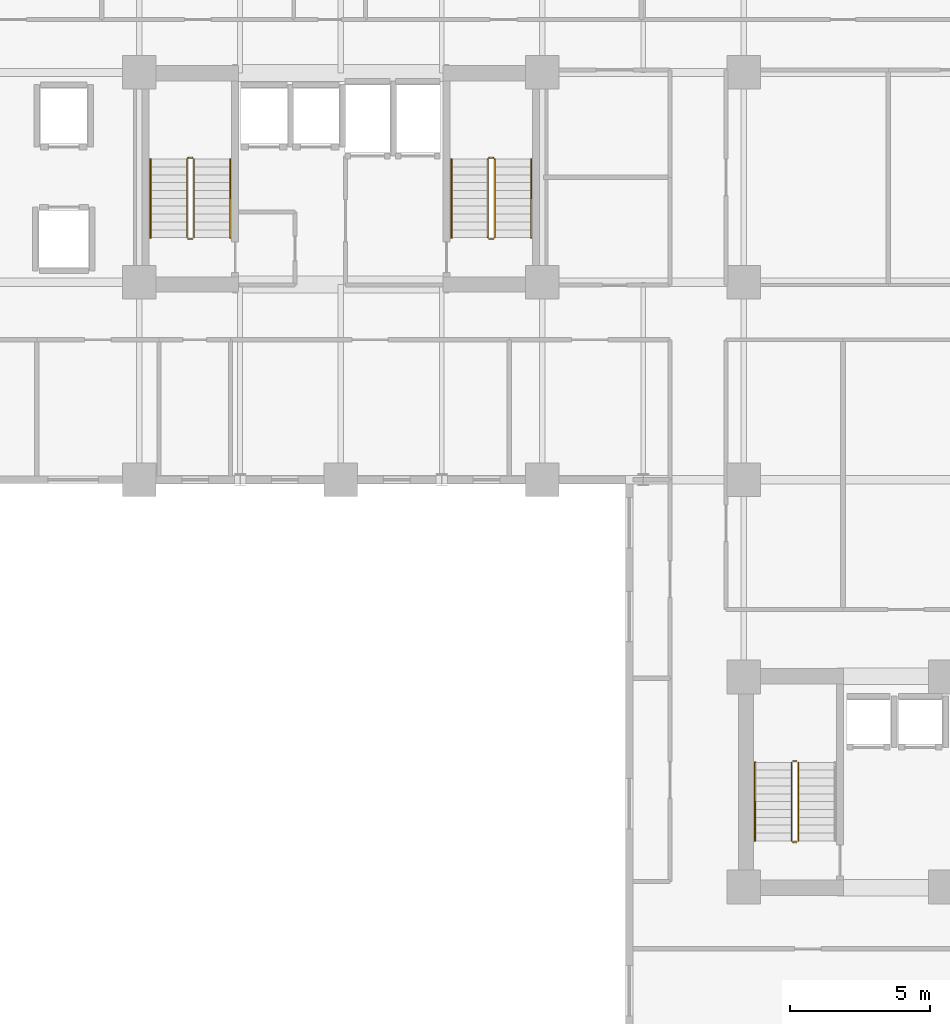
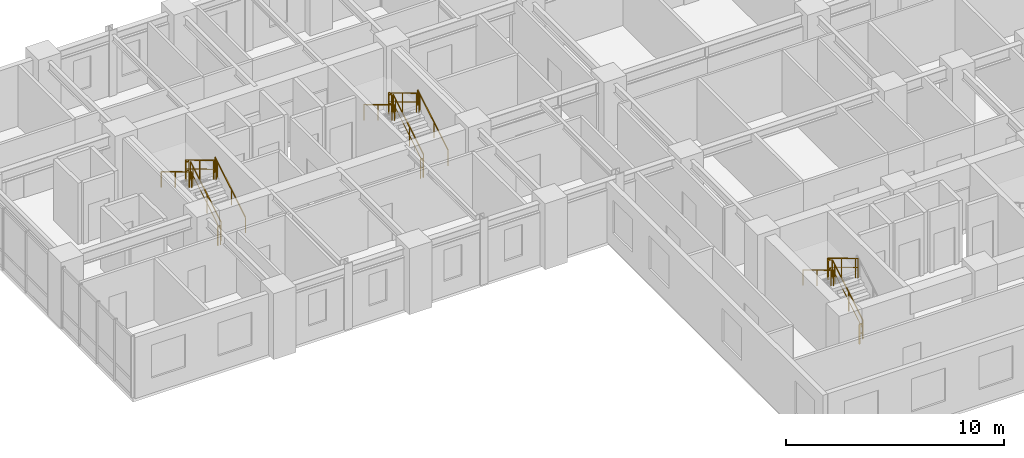
# One storey, part 16 of 18: 17 railings.
"""IFC4 building model written with IfcOpenShell, lengths in metres."""

from ifc_helpers import new_model, si_unit, direction, frame, origin, origin_2d, place, context, subcontext, project, spatial, rectangle, extrude, material, type_object, element, save


model = new_model("IFC4")

# Units and contexts
model_context = context("Model", 3, precision=1e-05, world=origin(), true_north=direction((0.0, 1.0)))
body_context = subcontext(model_context, "Body", "Model", "MODEL_VIEW")
ifc_project = project(units=[si_unit("LENGTHUNIT", "METRE"), si_unit("AREAUNIT", "SQUARE_METRE"), si_unit("VOLUMEUNIT", "CUBIC_METRE"), si_unit("PLANEANGLEUNIT", "RADIAN"), si_unit("MASSUNIT", "GRAM", prefix="KILO")], contexts=[model_context])

# Site, building, storey
site_placement = place(None, origin())
site = spatial("IfcSite", under=ifc_project, at=site_placement, CompositionType="ELEMENT")
building_placement = place(site_placement, origin())
building = spatial("IfcBuilding", under=site, at=building_placement, Name="Kaliganga Portal Commons", CompositionType="ELEMENT")
storey_placement = place(building_placement, frame((0.0, 0.0, 93.39990234375)))
storey = spatial("IfcBuildingStorey", under=building, at=storey_placement, Name="L23", CompositionType="ELEMENT", Elevation=93.39990234375)

# Railings
ifc_material_1 = material(Name="Galvanized Painted Steel Balustrade", Category="steel")
railing_type_1 = type_object("IfcRailingType", Name="RLG-STAIR-GRD", PredefinedType="GUARDRAIL", material=ifc_material_1)
railing_1_placement = place(storey_placement, frame((16.35009765625, 30.25, 0.168212890625)))
element("IfcRailing", 1, at=railing_1_placement, inside=storey, type_object=railing_type_1, Name="L23 ST-A1 stair guard 1", PredefinedType="GUARDRAIL", context=body_context, shape_type="SweptSolid", body=[
    extrude(rectangle(XDim=0.048095703125, YDim=0.048095703125, at=origin_2d()), frame((0.0, 0.0, 1.072021484375), z_axis=(0.0, 0.857242210791, 0.514913383045), x_axis=(-1.0, 0.0, 0.0)), (0.0, 0.0, 1.0), 3.266357421875),
    extrude(rectangle(XDim=0.028076171875, YDim=0.028076171875, at=origin_2d()), frame((0.0, 0.0, 0.572021484375), z_axis=(0.0, 0.857242210791, 0.514913383045), x_axis=(-1.0, 0.0, 0.0)), (0.0, 0.0, 1.0), 3.266357421875),
    extrude(rectangle(XDim=0.0419921875, YDim=0.0419921875, at=origin_2d()), origin(), (0.0, 0.0, 1.0), 1.052001953125),
    extrude(rectangle(XDim=0.0419921875, YDim=0.0419921875, at=origin_2d()), frame((0.0, 1.285888671875, 0.7724609375)), (0.0, 0.0, 1.0), 1.052001953125),
    extrude(rectangle(XDim=0.0419921875, YDim=0.0419921875, at=origin_2d()), frame((0.0, 2.57177734375, 1.544677734375)), (0.0, 0.0, 1.0), 1.052001953125),
    extrude(rectangle(XDim=0.0419921875, YDim=0.0419921875, at=origin_2d()), frame((0.0, 2.800048828125, 1.681884765625)), (0.0, 0.0, 1.0), 1.052001953125),
])
railing_2_placement = place(storey_placement, frame((16.300048828125, 33.10009765625, 1.85009765625)))
element("IfcRailing", 2, at=railing_2_placement, inside=storey, type_object=railing_type_1, Name="L23 ST-A1 stair guard 2", PredefinedType="GUARDRAIL", context=body_context, shape_type="SweptSolid", body=[
    extrude(rectangle(XDim=0.048095703125, YDim=0.048095703125, at=origin_2d()), frame((0.0, 0.0, 1.076171875), z_axis=(-1.0, 0.0, 0.0), x_axis=(0.0, -1.0, 0.0)), (0.0, 0.0, 1.0), 0.150146484375),
    extrude(rectangle(XDim=0.028076171875, YDim=0.028076171875, at=origin_2d()), frame((0.0, 0.0, 0.572021484375), z_axis=(-1.0, 0.0, 0.0), x_axis=(0.0, -1.0, 0.0)), (0.0, 0.0, 1.0), 0.150146484375),
    extrude(rectangle(XDim=0.0419921875, YDim=0.0419921875, at=origin_2d()), origin(), (0.0, 0.0, 1.0), 1.052001953125),
    extrude(rectangle(XDim=0.0419921875, YDim=0.0419921875, at=origin_2d()), frame((-0.150146484375, 0.0, 0.0)), (0.0, 0.0, 1.0), 1.052001953125),
])
railing_3_placement = place(storey_placement, frame((16.10009765625, 33.050048828125, 2.018310546875)))
element("IfcRailing", 3, at=railing_3_placement, inside=storey, type_object=railing_type_1, Name="L23 ST-A1 stair guard 3", PredefinedType="GUARDRAIL", context=body_context, shape_type="SweptSolid", body=[
    extrude(rectangle(XDim=0.048095703125, YDim=0.048095703125, at=origin_2d()), frame((0.0, 0.0, 1.072021484375), z_axis=(0.0, -0.857242210791, 0.514913383045), x_axis=(1.0, 0.0, 0.0)), (0.0, 0.0, 1.0), 3.266357421875),
    extrude(rectangle(XDim=0.028076171875, YDim=0.028076171875, at=origin_2d()), frame((0.0, 0.0, 0.572021484375), z_axis=(0.0, -0.857242210791, 0.514913383045), x_axis=(1.0, 0.0, 0.0)), (0.0, 0.0, 1.0), 3.266357421875),
    extrude(rectangle(XDim=0.0419921875, YDim=0.0419921875, at=origin_2d()), origin(), (0.0, 0.0, 1.0), 1.052001953125),
    extrude(rectangle(XDim=0.0419921875, YDim=0.0419921875, at=origin_2d()), frame((0.0, -1.285888671875, 0.7724609375)), (0.0, 0.0, 1.0), 1.052001953125),
    extrude(rectangle(XDim=0.0419921875, YDim=0.0419921875, at=origin_2d()), frame((0.0, -2.57177734375, 1.544677734375)), (0.0, 0.0, 1.0), 1.052001953125),
    extrude(rectangle(XDim=0.0419921875, YDim=0.0419921875, at=origin_2d()), frame((0.0, -2.800048828125, 1.681884765625)), (0.0, 0.0, 1.0), 1.052001953125),
])
railing_4_placement = place(storey_placement, frame((16.300048828125, 30.199951171875, 0.0)))
element("IfcRailing", 4, at=railing_4_placement, inside=storey, type_object=railing_type_1, Name="L23 ST-A1 stair guard 4", PredefinedType="GUARDRAIL", context=body_context, shape_type="SweptSolid", body=[
    extrude(rectangle(XDim=0.048095703125, YDim=0.048095703125, at=origin_2d()), frame((0.0, 0.0, 1.076171875), z_axis=(-1.0, 0.0, 0.0), x_axis=(0.0, -1.0, 0.0)), (0.0, 0.0, 1.0), 0.150146484375),
    extrude(rectangle(XDim=0.028076171875, YDim=0.028076171875, at=origin_2d()), frame((0.0, 0.0, 0.572021484375), z_axis=(-1.0, 0.0, 0.0), x_axis=(0.0, -1.0, 0.0)), (0.0, 0.0, 1.0), 0.150146484375),
    extrude(rectangle(XDim=0.0419921875, YDim=0.0419921875, at=origin_2d()), origin(), (0.0, 0.0, 1.0), 1.052001953125),
    extrude(rectangle(XDim=0.0419921875, YDim=0.0419921875, at=origin_2d()), frame((-0.150146484375, 0.0, 0.0)), (0.0, 0.0, 1.0), 1.052001953125),
])
railing_5_placement = place(storey_placement, frame((27.10009765625, 30.25, 0.168212890625)))
element("IfcRailing", 5, at=railing_5_placement, inside=storey, type_object=railing_type_1, Name="L23 ST-A2 stair guard 1", PredefinedType="GUARDRAIL", context=body_context, shape_type="SweptSolid", body=[
    extrude(rectangle(XDim=0.048095703125, YDim=0.048095703125, at=origin_2d()), frame((0.0, 0.0, 1.072021484375), z_axis=(0.0, 0.857242210791, 0.514913383045), x_axis=(-1.0, 0.0, 0.0)), (0.0, 0.0, 1.0), 3.266357421875),
    extrude(rectangle(XDim=0.028076171875, YDim=0.028076171875, at=origin_2d()), frame((0.0, 0.0, 0.572021484375), z_axis=(0.0, 0.857242210791, 0.514913383045), x_axis=(-1.0, 0.0, 0.0)), (0.0, 0.0, 1.0), 3.266357421875),
    extrude(rectangle(XDim=0.0419921875, YDim=0.0419921875, at=origin_2d()), origin(), (0.0, 0.0, 1.0), 1.052001953125),
    extrude(rectangle(XDim=0.0419921875, YDim=0.0419921875, at=origin_2d()), frame((0.0, 1.285888671875, 0.7724609375)), (0.0, 0.0, 1.0), 1.052001953125),
    extrude(rectangle(XDim=0.0419921875, YDim=0.0419921875, at=origin_2d()), frame((0.0, 2.57177734375, 1.544677734375)), (0.0, 0.0, 1.0), 1.052001953125),
    extrude(rectangle(XDim=0.0419921875, YDim=0.0419921875, at=origin_2d()), frame((0.0, 2.800048828125, 1.681884765625)), (0.0, 0.0, 1.0), 1.052001953125),
])
railing_6_placement = place(storey_placement, frame((27.050048828125, 33.10009765625, 1.85009765625)))
element("IfcRailing", 6, at=railing_6_placement, inside=storey, type_object=railing_type_1, Name="L23 ST-A2 stair guard 2", PredefinedType="GUARDRAIL", context=body_context, shape_type="SweptSolid", body=[
    extrude(rectangle(XDim=0.048095703125, YDim=0.048095703125, at=origin_2d()), frame((0.0, 0.0, 1.076171875), z_axis=(-1.0, 0.0, 0.0), x_axis=(0.0, -1.0, 0.0)), (0.0, 0.0, 1.0), 0.150146484375),
    extrude(rectangle(XDim=0.028076171875, YDim=0.028076171875, at=origin_2d()), frame((0.0, 0.0, 0.572021484375), z_axis=(-1.0, 0.0, 0.0), x_axis=(0.0, -1.0, 0.0)), (0.0, 0.0, 1.0), 0.150146484375),
    extrude(rectangle(XDim=0.0419921875, YDim=0.0419921875, at=origin_2d()), origin(), (0.0, 0.0, 1.0), 1.052001953125),
    extrude(rectangle(XDim=0.0419921875, YDim=0.0419921875, at=origin_2d()), frame((-0.150146484375, 0.0, 0.0)), (0.0, 0.0, 1.0), 1.052001953125),
])
railing_7_placement = place(storey_placement, frame((26.85009765625, 33.050048828125, 2.018310546875)))
element("IfcRailing", 7, at=railing_7_placement, inside=storey, type_object=railing_type_1, Name="L23 ST-A2 stair guard 3", PredefinedType="GUARDRAIL", context=body_context, shape_type="SweptSolid", body=[
    extrude(rectangle(XDim=0.048095703125, YDim=0.048095703125, at=origin_2d()), frame((0.0, 0.0, 1.072021484375), z_axis=(0.0, -0.857242210791, 0.514913383045), x_axis=(1.0, 0.0, 0.0)), (0.0, 0.0, 1.0), 3.266357421875),
    extrude(rectangle(XDim=0.028076171875, YDim=0.028076171875, at=origin_2d()), frame((0.0, 0.0, 0.572021484375), z_axis=(0.0, -0.857242210791, 0.514913383045), x_axis=(1.0, 0.0, 0.0)), (0.0, 0.0, 1.0), 3.266357421875),
    extrude(rectangle(XDim=0.0419921875, YDim=0.0419921875, at=origin_2d()), origin(), (0.0, 0.0, 1.0), 1.052001953125),
    extrude(rectangle(XDim=0.0419921875, YDim=0.0419921875, at=origin_2d()), frame((0.0, -1.285888671875, 0.7724609375)), (0.0, 0.0, 1.0), 1.052001953125),
    extrude(rectangle(XDim=0.0419921875, YDim=0.0419921875, at=origin_2d()), frame((0.0, -2.57177734375, 1.544677734375)), (0.0, 0.0, 1.0), 1.052001953125),
    extrude(rectangle(XDim=0.0419921875, YDim=0.0419921875, at=origin_2d()), frame((0.0, -2.800048828125, 1.681884765625)), (0.0, 0.0, 1.0), 1.052001953125),
])
railing_8_placement = place(storey_placement, frame((27.050048828125, 30.199951171875, 0.0)))
element("IfcRailing", 8, at=railing_8_placement, inside=storey, type_object=railing_type_1, Name="L23 ST-A2 stair guard 4", PredefinedType="GUARDRAIL", context=body_context, shape_type="SweptSolid", body=[
    extrude(rectangle(XDim=0.048095703125, YDim=0.048095703125, at=origin_2d()), frame((0.0, 0.0, 1.076171875), z_axis=(-1.0, 0.0, 0.0), x_axis=(0.0, -1.0, 0.0)), (0.0, 0.0, 1.0), 0.150146484375),
    extrude(rectangle(XDim=0.028076171875, YDim=0.028076171875, at=origin_2d()), frame((0.0, 0.0, 0.572021484375), z_axis=(-1.0, 0.0, 0.0), x_axis=(0.0, -1.0, 0.0)), (0.0, 0.0, 1.0), 0.150146484375),
    extrude(rectangle(XDim=0.0419921875, YDim=0.0419921875, at=origin_2d()), origin(), (0.0, 0.0, 1.0), 1.052001953125),
    extrude(rectangle(XDim=0.0419921875, YDim=0.0419921875, at=origin_2d()), frame((-0.150146484375, 0.0, 0.0)), (0.0, 0.0, 1.0), 1.052001953125),
])
railing_9_placement = place(storey_placement, frame((37.949951171875, 8.699951171875, 0.168212890625)))
element("IfcRailing", 9, at=railing_9_placement, inside=storey, type_object=railing_type_1, Name="L23 ST-B1 stair guard 1", PredefinedType="GUARDRAIL", context=body_context, shape_type="SweptSolid", body=[
    extrude(rectangle(XDim=0.048095703125, YDim=0.048095703125, at=origin_2d()), frame((0.0, 0.0, 1.072021484375), z_axis=(0.0, 0.857242210791, 0.514913383045), x_axis=(-1.0, 0.0, 0.0)), (0.0, 0.0, 1.0), 3.266357421875),
    extrude(rectangle(XDim=0.028076171875, YDim=0.028076171875, at=origin_2d()), frame((0.0, 0.0, 0.572021484375), z_axis=(0.0, 0.857242210791, 0.514913383045), x_axis=(-1.0, 0.0, 0.0)), (0.0, 0.0, 1.0), 3.266357421875),
    extrude(rectangle(XDim=0.0419921875, YDim=0.0419921875, at=origin_2d()), origin(), (0.0, 0.0, 1.0), 1.052001953125),
    extrude(rectangle(XDim=0.0419921875, YDim=0.0419921875, at=origin_2d()), frame((0.0, 1.285888671875, 0.7724609375)), (0.0, 0.0, 1.0), 1.052001953125),
    extrude(rectangle(XDim=0.0419921875, YDim=0.0419921875, at=origin_2d()), frame((0.0, 2.57177734375, 1.544677734375)), (0.0, 0.0, 1.0), 1.052001953125),
    extrude(rectangle(XDim=0.0419921875, YDim=0.0419921875, at=origin_2d()), frame((0.0, 2.800048828125, 1.681884765625)), (0.0, 0.0, 1.0), 1.052001953125),
])
railing_10_placement = place(storey_placement, frame((37.89990234375, 11.550048828125, 1.85009765625)))
element("IfcRailing", 10, at=railing_10_placement, inside=storey, type_object=railing_type_1, Name="L23 ST-B1 stair guard 2", PredefinedType="GUARDRAIL", context=body_context, shape_type="SweptSolid", body=[
    extrude(rectangle(XDim=0.048095703125, YDim=0.048095703125, at=origin_2d()), frame((0.0, 0.0, 1.076171875), z_axis=(-1.0, 0.0, 0.0), x_axis=(0.0, -1.0, 0.0)), (0.0, 0.0, 1.0), 0.14990234375),
    extrude(rectangle(XDim=0.028076171875, YDim=0.028076171875, at=origin_2d()), frame((0.0, 0.0, 0.572021484375), z_axis=(-1.0, 0.0, 0.0), x_axis=(0.0, -1.0, 0.0)), (0.0, 0.0, 1.0), 0.14990234375),
    extrude(rectangle(XDim=0.0419921875, YDim=0.0419921875, at=origin_2d()), frame((-0.14990234375, 0.0, 0.0)), (0.0, 0.0, 1.0), 1.052001953125),
])
railing_11_placement = place(storey_placement, frame((37.699951171875, 11.5, 2.018310546875)))
element("IfcRailing", 11, at=railing_11_placement, inside=storey, type_object=railing_type_1, Name="L23 ST-B1 stair guard 3", PredefinedType="GUARDRAIL", context=body_context, shape_type="SweptSolid", body=[
    extrude(rectangle(XDim=0.048095703125, YDim=0.048095703125, at=origin_2d()), frame((0.0, 0.0, 1.072021484375), z_axis=(0.0, -0.857242210791, 0.514913383045), x_axis=(1.0, 0.0, 0.0)), (0.0, 0.0, 1.0), 3.266357421875),
    extrude(rectangle(XDim=0.028076171875, YDim=0.028076171875, at=origin_2d()), frame((0.0, 0.0, 0.572021484375), z_axis=(0.0, -0.857242210791, 0.514913383045), x_axis=(1.0, 0.0, 0.0)), (0.0, 0.0, 1.0), 3.266357421875),
    extrude(rectangle(XDim=0.0419921875, YDim=0.0419921875, at=origin_2d()), origin(), (0.0, 0.0, 1.0), 1.052001953125),
    extrude(rectangle(XDim=0.0419921875, YDim=0.0419921875, at=origin_2d()), frame((0.0, -1.285888671875, 0.7724609375)), (0.0, 0.0, 1.0), 1.052001953125),
    extrude(rectangle(XDim=0.0419921875, YDim=0.0419921875, at=origin_2d()), frame((0.0, -2.57177734375, 1.544677734375)), (0.0, 0.0, 1.0), 1.052001953125),
    extrude(rectangle(XDim=0.0419921875, YDim=0.0419921875, at=origin_2d()), frame((0.0, -2.800048828125, 1.681884765625)), (0.0, 0.0, 1.0), 1.052001953125),
])
railing_12_placement = place(storey_placement, frame((37.89990234375, 8.64990234375, 0.0)))
element("IfcRailing", 12, at=railing_12_placement, inside=storey, type_object=railing_type_1, Name="L23 ST-B1 stair guard 4", PredefinedType="GUARDRAIL", context=body_context, shape_type="SweptSolid", body=[
    extrude(rectangle(XDim=0.048095703125, YDim=0.048095703125, at=origin_2d()), frame((0.0, 0.0, 1.076171875), z_axis=(-1.0, 0.0, 0.0), x_axis=(0.0, -1.0, 0.0)), (0.0, 0.0, 1.0), 0.14990234375),
    extrude(rectangle(XDim=0.028076171875, YDim=0.028076171875, at=origin_2d()), frame((0.0, 0.0, 0.572021484375), z_axis=(-1.0, 0.0, 0.0), x_axis=(0.0, -1.0, 0.0)), (0.0, 0.0, 1.0), 0.14990234375),
    extrude(rectangle(XDim=0.0419921875, YDim=0.0419921875, at=origin_2d()), frame((-0.14990234375, 0.0, 0.0)), (0.0, 0.0, 1.0), 1.052001953125),
])
ifc_material_2 = material(Name="Brushed Stainless Steel 316", Category="steel")
railing_type_2 = type_object("IfcRailingType", Name="RLG-STAIR-HR", PredefinedType="HANDRAIL", material=ifc_material_2)
railing_13_placement = place(storey_placement, frame((17.64990234375, 30.25, 0.168212890625)))
element("IfcRailing", 13, at=railing_13_placement, inside=storey, type_object=railing_type_2, Name="L23 ST-A1 stair handrail 1", PredefinedType="HANDRAIL", context=body_context, shape_type="SweptSolid", body=[
    extrude(rectangle(XDim=0.048095703125, YDim=0.048095703125, at=origin_2d()), frame((0.0, 0.0, 0.871826171875), z_axis=(0.0, 0.857242210791, 0.514913383045), x_axis=(-1.0, 0.0, 0.0)), (0.0, 0.0, 1.0), 3.266357421875),
    extrude(rectangle(XDim=0.0419921875, YDim=0.0419921875, at=origin_2d()), origin(), (0.0, 0.0, 1.0), 0.851806640625),
    extrude(rectangle(XDim=0.0419921875, YDim=0.0419921875, at=origin_2d()), frame((0.0, 1.285888671875, 0.7724609375)), (0.0, 0.0, 1.0), 0.851806640625),
    extrude(rectangle(XDim=0.0419921875, YDim=0.0419921875, at=origin_2d()), frame((0.0, 2.57177734375, 1.544677734375)), (0.0, 0.0, 1.0), 0.851806640625),
    extrude(rectangle(XDim=0.0419921875, YDim=0.0419921875, at=origin_2d()), frame((0.0, 2.800048828125, 1.681884765625)), (0.0, 0.0, 1.0), 0.851806640625),
])
railing_14_placement = place(storey_placement, frame((14.800048828125, 33.050048828125, 2.018310546875)))
element("IfcRailing", 14, at=railing_14_placement, inside=storey, type_object=railing_type_2, Name="L23 ST-A1 stair handrail 2", PredefinedType="HANDRAIL", context=body_context, shape_type="SweptSolid", body=[
    extrude(rectangle(XDim=0.048095703125, YDim=0.048095703125, at=origin_2d()), frame((0.0, 0.0, 0.871826171875), z_axis=(0.0, -0.857242210791, 0.514913383045), x_axis=(1.0, 0.0, 0.0)), (0.0, 0.0, 1.0), 3.266357421875),
    extrude(rectangle(XDim=0.0419921875, YDim=0.0419921875, at=origin_2d()), origin(), (0.0, 0.0, 1.0), 0.851806640625),
    extrude(rectangle(XDim=0.0419921875, YDim=0.0419921875, at=origin_2d()), frame((0.0, -1.285888671875, 0.7724609375)), (0.0, 0.0, 1.0), 0.851806640625),
    extrude(rectangle(XDim=0.0419921875, YDim=0.0419921875, at=origin_2d()), frame((0.0, -2.57177734375, 1.544677734375)), (0.0, 0.0, 1.0), 0.851806640625),
    extrude(rectangle(XDim=0.0419921875, YDim=0.0419921875, at=origin_2d()), frame((0.0, -2.800048828125, 1.681884765625)), (0.0, 0.0, 1.0), 0.851806640625),
])
railing_15_placement = place(storey_placement, frame((28.39990234375, 30.25, 0.168212890625)))
element("IfcRailing", 15, at=railing_15_placement, inside=storey, type_object=railing_type_2, Name="L23 ST-A2 stair handrail 1", PredefinedType="HANDRAIL", context=body_context, shape_type="SweptSolid", body=[
    extrude(rectangle(XDim=0.048095703125, YDim=0.048095703125, at=origin_2d()), frame((0.0, 0.0, 0.871826171875), z_axis=(0.0, 0.857242210791, 0.514913383045), x_axis=(-1.0, 0.0, 0.0)), (0.0, 0.0, 1.0), 3.266357421875),
    extrude(rectangle(XDim=0.0419921875, YDim=0.0419921875, at=origin_2d()), origin(), (0.0, 0.0, 1.0), 0.851806640625),
    extrude(rectangle(XDim=0.0419921875, YDim=0.0419921875, at=origin_2d()), frame((0.0, 1.285888671875, 0.7724609375)), (0.0, 0.0, 1.0), 0.851806640625),
    extrude(rectangle(XDim=0.0419921875, YDim=0.0419921875, at=origin_2d()), frame((0.0, 2.57177734375, 1.544677734375)), (0.0, 0.0, 1.0), 0.851806640625),
    extrude(rectangle(XDim=0.0419921875, YDim=0.0419921875, at=origin_2d()), frame((0.0, 2.800048828125, 1.681884765625)), (0.0, 0.0, 1.0), 0.851806640625),
])
for number, where, name in (
    (16, (25.550048828125, 33.050048828125, 2.018310546875), "L23 ST-A2 stair handrail 2"),
    (17, (36.39990234375, 11.5, 2.018310546875), "L23 ST-B1 stair handrail 2"),
):
    element("IfcRailing", number, at=place(storey_placement, frame(where)), inside=storey, type_object=railing_type_2, Name=name, PredefinedType="HANDRAIL", context=body_context, shape_type="SweptSolid", body=[
        extrude(rectangle(XDim=0.048095703125, YDim=0.048095703125, at=origin_2d()), frame((0.0, 0.0, 0.871826171875), z_axis=(0.0, -0.857242210791, 0.514913383045), x_axis=(1.0, 0.0, 0.0)), (0.0, 0.0, 1.0), 3.266357421875),
        extrude(rectangle(XDim=0.0419921875, YDim=0.0419921875, at=origin_2d()), origin(), (0.0, 0.0, 1.0), 0.851806640625),
        extrude(rectangle(XDim=0.0419921875, YDim=0.0419921875, at=origin_2d()), frame((0.0, -1.285888671875, 0.7724609375)), (0.0, 0.0, 1.0), 0.851806640625),
        extrude(rectangle(XDim=0.0419921875, YDim=0.0419921875, at=origin_2d()), frame((0.0, -2.57177734375, 1.544677734375)), (0.0, 0.0, 1.0), 0.851806640625),
        extrude(rectangle(XDim=0.0419921875, YDim=0.0419921875, at=origin_2d()), frame((0.0, -2.800048828125, 1.681884765625)), (0.0, 0.0, 1.0), 0.851806640625),
    ])

save(model, "model.ifc")
